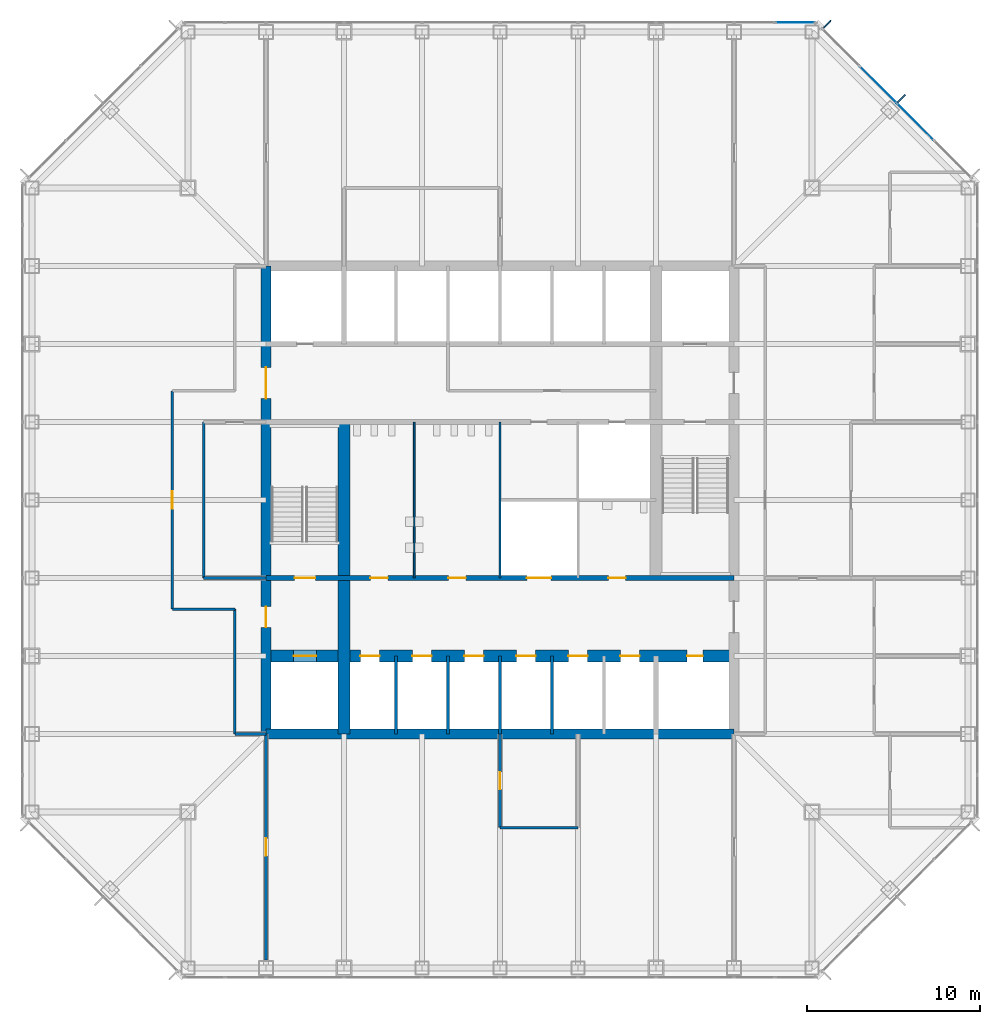
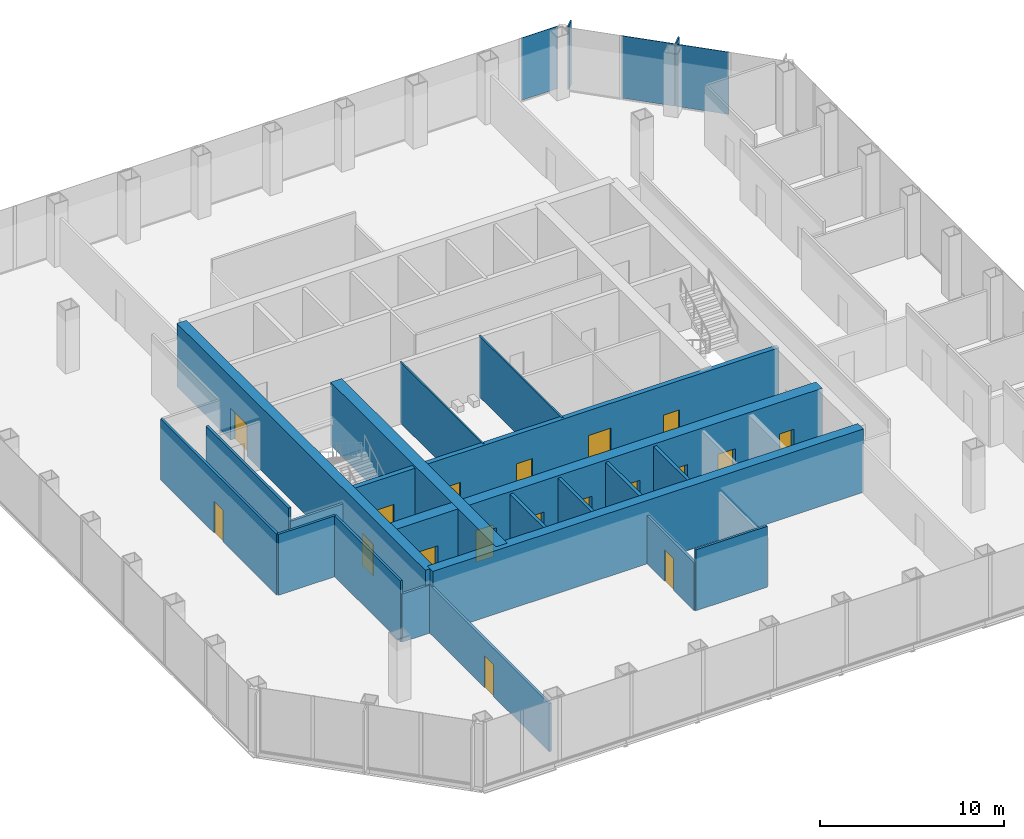
# One storey, part 8 of 12: 20 walls, 18 doors, 5 plates, 18 openings, 2 elements without a shape of their own.
"""IFC4 building model written with IfcOpenShell, lengths in metres."""

from ifc_helpers import new_model, si_unit, direction, frame, frame_2d, origin, origin_2d, place, context, subcontext, project, spatial, rectangle, extrude, material, layer, layer_set, type_object, element, fill, aggregate, save


model = new_model("IFC4")

# Units and contexts
model_context = context("Model", 3, precision=1e-05, world=origin(), true_north=direction((0.0, 1.0)))
body_context = subcontext(model_context, "Body", "Model", "MODEL_VIEW")
ifc_project = project(units=[si_unit("LENGTHUNIT", "METRE"), si_unit("AREAUNIT", "SQUARE_METRE"), si_unit("VOLUMEUNIT", "CUBIC_METRE"), si_unit("PLANEANGLEUNIT", "RADIAN"), si_unit("MASSUNIT", "GRAM", prefix="KILO")], contexts=[model_context])

# Site, building, storey
site_placement = place(None, origin())
site = spatial("IfcSite", under=ifc_project, at=site_placement, CompositionType="ELEMENT")
building_placement = place(site_placement, origin())
building = spatial("IfcBuilding", under=site, at=building_placement, Name="Corais Broadcast Tower", CompositionType="ELEMENT")
storey_placement = place(building_placement, frame((0.0, 0.0, 75.199951171875)))
storey = spatial("IfcBuildingStorey", under=building, at=storey_placement, Name="L16", CompositionType="ELEMENT", Elevation=75.199951171875)

# Curtain wall, plate
ifc_material_1 = material(Name="Aluminium and glass", Category="aluminium")
curtain_wall_type = type_object("IfcCurtainWallType", Name="Unitised fritted curtain wall CW1", PredefinedType="NOTDEFINED", material=ifc_material_1)
curtain_wall_1_placement = place(storey_placement, origin())
curtain_wall_1 = element("IfcCurtainWall", 1, at=curtain_wall_1_placement, inside=storey, type_object=curtain_wall_type, Name="CW1 curtain wall L16 5", PredefinedType="NOTDEFINED")
ifc_material_2 = material(Name="Ceramic-fritted laminated glass", Category="glass")
ifc_layer_1 = layer(ifc_material_2, 0.030029296875)
ifc_layer_set_1 = layer_set([ifc_layer_1], Name="Ceramic-fritted laminated glass")
plate_type_1 = type_object("IfcPlateType", Name="Fritted glass panel CW1", PredefinedType="CURTAIN_PANEL", material=ifc_layer_set_1)
plate_1_placement = place(storey_placement, frame((50.9658203125, 48.81201171875, 0.06494140625), z_axis=(0.0, 0.0, 1.0), x_axis=(0.707106781187, -0.707106781187, 0.0)))
plate_1 = element("IfcPlate", 2, at=plate_1_placement, type_object=plate_type_1, Name="CW1 panel 3", PredefinedType="CURTAIN_PANEL", context=body_context, shape_type="SweptSolid", body=[
    extrude(rectangle(XDim=2.98095703125, YDim=0.030029296875, at=origin_2d()), origin(), (0.0, 0.0, 1.0), 4.135009765625),
])

curtain_wall_2_placement = place(storey_placement, origin())
curtain_wall_2 = element("IfcCurtainWall", 3, at=curtain_wall_2_placement, inside=storey, type_object=curtain_wall_type, Name="CW1 curtain wall L16 4", PredefinedType="NOTDEFINED")
ifc_material_3 = material(Name="Clear laminated glass", Category="glass")
ifc_layer_2 = layer(ifc_material_3, 0.033935546875)
ifc_layer_set_2 = layer_set([ifc_layer_2], Name="Clear laminated glass")
plate_type_2 = type_object("IfcPlateType", Name="Operable glass panel CW1", PredefinedType="CURTAIN_PANEL", material=ifc_layer_set_2)
plate_2_placement = place(storey_placement, frame((44.029541015625, 54.550048828125, 0.06494140625), z_axis=(0.0, 0.0, 1.0), x_axis=(1.0, 0.0, 0.0)))
plate_2 = element("IfcPlate", 4, at=plate_2_placement, type_object=plate_type_2, Name="CW1 operable panel 10", PredefinedType="CURTAIN_PANEL", context=body_context, shape_type="SweptSolid", body=[
    extrude(rectangle(XDim=2.266357421875, YDim=0.033935546875, at=origin_2d()), origin(), (0.0, 0.0, 1.0), 4.135009765625),
])
aggregate(curtain_wall_2, [plate_2])

# Plate
plate_3_placement = place(storey_placement, frame((48.81201171875, 50.9658203125, 0.06494140625), z_axis=(0.0, 0.0, 1.0), x_axis=(0.707106781187, -0.707106781187, 0.0)))
plate_3 = element("IfcPlate", 5, at=plate_3_placement, type_object=plate_type_2, Name="CW1 operable panel 2", PredefinedType="CURTAIN_PANEL", context=body_context, shape_type="SweptSolid", body=[
    extrude(rectangle(XDim=2.98095703125, YDim=0.033935546875, at=origin_2d()), origin(), (0.0, 0.0, 1.0), 4.135009765625),
])

aggregate(curtain_wall_1, [plate_3, plate_1])

# Plates
ifc_material_4 = material(Name="Granite stone cladding", Category="masonry")
ifc_layer_3 = layer(ifc_material_4, 0.080078125)
ifc_layer_set_3 = layer_set([ifc_layer_3], Name="Granite stone cladding")
plate_type_3 = type_object("IfcPlateType", Name="Stone screen fin 80x600", PredefinedType="USERDEFINED", material=ifc_layer_set_3)
for number, where, z_axis, x_axis, name in (
    (6, (45.885009765625, 54.4541015625, 0.0), (0.0, 0.0, 1.0), (0.707106781187, -0.707106781187, 0.0), "SF1 stone screen fin L16"),
    (7, (50.169677734375, 50.169677734375, 0.0), (0.0, 0.0, 1.0), (0.707106781187, -0.707106781187, 0.0), "SF1 stone screen fin L16"),
):
    element("IfcPlate", number, at=place(storey_placement, frame(where, z_axis=z_axis, x_axis=x_axis)), inside=storey, type_object=plate_type_3, Name=name, ObjectType="STONE SCREEN FIN", PredefinedType="USERDEFINED", context=body_context, shape_type="SweptSolid", body=[
        extrude(rectangle(XDim=0.080078125, YDim=0.60009765625, at=origin_2d()), origin(), (0.0, 0.0, 1.0), 4.199951171875),
    ])

# Wall, openings, doors
ifc_material_5 = material(Name="Concrete blockwork class A, grouted, two-hour", Category="masonry")
ifc_layer_4 = layer(ifc_material_5, 0.300048828125)
ifc_layer_set_4 = layer_set([ifc_layer_4], Name="Concrete blockwork class A, grouted, two-hour")
wall_type_1 = type_object("IfcWallType", Name="Core lobby wall 300", PredefinedType="SOLIDWALL", material=ifc_layer_set_4)
wall_1_placement = place(storey_placement, frame((13.5, 22.5, 0.0), z_axis=(0.0, 0.0, 1.0), x_axis=(1.0, 0.0, 0.0)))
wall_1 = element("IfcWall", 8, at=wall_1_placement, inside=storey, type_object=wall_type_1, Name="CL1 core lobby wall Y225 L16", PredefinedType="SOLIDWALL", context=body_context, shape_type="SweptSolid", body=[
    extrude(rectangle(XDim=27.0, YDim=0.300048828125, at=frame_2d((13.5, 0.0))), origin(), (0.0, 0.0, 1.0), 4.0400390625),
])
opening_1_placement = place(wall_1_placement, frame((1.64990234375, 0.0, 0.0)))
opening_1 = element("IfcOpeningElement", 9, at=opening_1_placement, cuts=wall_1, Name="Opening FD1", PredefinedType="OPENING", context=body_context, shape_type="SweptSolid", body=[
    extrude(rectangle(XDim=1.199951171875, YDim=2.10009765625, at=frame_2d((0.60009765625, 1.050048828125))), frame((0.0, 0.159912109375, 0.0), z_axis=(0.0, -1.0, 0.0), x_axis=(1.0, 0.0, 0.0)), (0.0, 0.0, 1.0), 0.320068359375),
])
opening_2_placement = place(wall_1_placement, frame((6.02490234375, 0.0, 0.0)))
opening_2 = element("IfcOpeningElement", 10, at=opening_2_placement, cuts=wall_1, Name="Opening WD1", PredefinedType="OPENING", context=body_context, shape_type="SweptSolid", body=[
    extrude(rectangle(XDim=1.0, YDim=2.10009765625, at=frame_2d((0.5, 1.050048828125))), frame((0.0, 0.159912109375, 0.0), z_axis=(0.0, -1.0, 0.0), x_axis=(1.0, 0.0, 0.0)), (0.0, 0.0, 1.0), 0.320068359375),
])
opening_3_placement = place(wall_1_placement, frame((10.52490234375, 0.0, 0.0)))
opening_3 = element("IfcOpeningElement", 11, at=opening_3_placement, cuts=wall_1, Name="Opening WD1", PredefinedType="OPENING", context=body_context, shape_type="SweptSolid", body=[
    extrude(rectangle(XDim=1.0, YDim=2.10009765625, at=frame_2d((0.5, 1.050048828125))), frame((0.0, 0.159912109375, 0.0), z_axis=(0.0, -1.0, 0.0), x_axis=(1.0, 0.0, 0.0)), (0.0, 0.0, 1.0), 0.320068359375),
])
opening_4_placement = place(wall_1_placement, frame((19.75, 0.0, 0.0)))
opening_4 = element("IfcOpeningElement", 12, at=opening_4_placement, cuts=wall_1, Name="Opening WD1", PredefinedType="OPENING", context=body_context, shape_type="SweptSolid", body=[
    extrude(rectangle(XDim=1.0, YDim=2.10009765625, at=frame_2d((0.5, 1.050048828125))), frame((0.0, 0.159912109375, 0.0), z_axis=(0.0, -1.0, 0.0), x_axis=(1.0, 0.0, 0.0)), (0.0, 0.0, 1.0), 0.320068359375),
])
opening_5_placement = place(wall_1_placement, frame((15.050048828125, 0.0, 0.0)))
opening_5 = element("IfcOpeningElement", 13, at=opening_5_placement, cuts=wall_1, Name="Opening LD3", PredefinedType="OPENING", context=body_context, shape_type="SweptSolid", body=[
    extrude(rectangle(XDim=1.39990234375, YDim=2.39990234375, at=frame_2d((0.699951171875, 1.199951171875))), frame((0.0, 0.159912109375, 0.0), z_axis=(0.0, -1.0, 0.0), x_axis=(1.0, 0.0, 0.0)), (0.0, 0.0, 1.0), 0.320068359375),
])
ifc_material_6 = material(Name="Steel fire door", Category="steel")
door_type_1 = type_object("IfcDoorType", Name="Fire door 1200x2100", OperationType="SINGLE_SWING_LEFT", PredefinedType="DOOR", material=ifc_material_6)
door_1_placement = place(opening_1_placement, origin())
door_1 = element("IfcDoor", 14, at=door_1_placement, inside=storey, type_object=door_type_1, Name="FD1 stair A door L16", OperationType="SINGLE_SWING_LEFT", OverallHeight=2.10009765625, OverallWidth=1.199951171875, PredefinedType="DOOR", context=body_context, shape_type="SweptSolid", body=[
    extrude(rectangle(XDim=1.199951171875, YDim=2.10009765625, at=frame_2d((0.60009765625, 1.050048828125))), frame((0.0, 0.02490234375, 0.0), z_axis=(0.0, -1.0, 0.0), x_axis=(1.0, 0.0, 0.0)), (0.0, 0.0, 1.0), 0.050048828125),
])
fill(opening_1, door_1)
ifc_material_7 = material(Name="Stainless steel lift door", Category="steel")
door_type_2 = type_object("IfcDoorType", Name="Service lift landing door 1400x2400", OperationType="SLIDING_TO_LEFT", PredefinedType="DOOR", material=ifc_material_7)
door_2_placement = place(opening_5_placement, origin())
door_2 = element("IfcDoor", 15, at=door_2_placement, inside=storey, type_object=door_type_2, Name="LD3 SL1 landing door L16", OperationType="SLIDING_TO_LEFT", OverallHeight=2.39990234375, OverallWidth=1.39990234375, PredefinedType="DOOR", context=body_context, shape_type="SweptSolid", body=[
    extrude(rectangle(XDim=1.39990234375, YDim=2.39990234375, at=frame_2d((0.699951171875, 1.199951171875))), frame((0.0, 0.02490234375, 0.0), z_axis=(0.0, -1.0, 0.0), x_axis=(1.0, 0.0, 0.0)), (0.0, 0.0, 1.0), 0.050048828125),
])
fill(opening_5, door_2)
ifc_material_8 = material(Name="Timber door", Category="wood")
door_type_3 = type_object("IfcDoorType", Name="Toilet door 1000x2100", OperationType="SINGLE_SWING_LEFT", PredefinedType="DOOR", material=ifc_material_8)
door_3_placement = place(opening_2_placement, origin())
door_3 = element("IfcDoor", 16, at=door_3_placement, inside=storey, type_object=door_type_3, Name="WD1 WC male door L16", OperationType="SINGLE_SWING_LEFT", OverallHeight=2.10009765625, OverallWidth=1.0, PredefinedType="DOOR", context=body_context, shape_type="SweptSolid", body=[
    extrude(rectangle(XDim=1.0, YDim=2.10009765625, at=frame_2d((0.5, 1.050048828125))), frame((0.0, 0.02490234375, 0.0), z_axis=(0.0, -1.0, 0.0), x_axis=(1.0, 0.0, 0.0)), (0.0, 0.0, 1.0), 0.050048828125),
])
fill(opening_2, door_3)
door_4_placement = place(opening_3_placement, origin())
door_4 = element("IfcDoor", 17, at=door_4_placement, inside=storey, type_object=door_type_3, Name="WD1 WC female door L16", OperationType="SINGLE_SWING_LEFT", OverallHeight=2.10009765625, OverallWidth=1.0, PredefinedType="DOOR", context=body_context, shape_type="SweptSolid", body=[
    extrude(rectangle(XDim=1.0, YDim=2.10009765625, at=frame_2d((0.5, 1.050048828125))), frame((0.0, 0.02490234375, 0.0), z_axis=(0.0, -1.0, 0.0), x_axis=(1.0, 0.0, 0.0)), (0.0, 0.0, 1.0), 0.050048828125),
])
fill(opening_3, door_4)
door_5_placement = place(opening_4_placement, origin())
door_5 = element("IfcDoor", 18, at=door_5_placement, inside=storey, type_object=door_type_3, Name="WD1 accessible WC door L16", OperationType="SINGLE_SWING_RIGHT", OverallHeight=2.10009765625, OverallWidth=1.0, PredefinedType="DOOR", context=body_context, shape_type="SweptSolid", body=[
    extrude(rectangle(XDim=1.0, YDim=2.10009765625, at=frame_2d((0.5, 1.050048828125))), frame((0.0, 0.02490234375, 0.0), z_axis=(0.0, -1.0, 0.0), x_axis=(1.0, 0.0, 0.0)), (0.0, 0.0, 1.0), 0.050048828125),
])
fill(opening_4, door_5)

# Wall
ifc_material_9 = material(Name="Concrete C50/60", Category="concrete")
ifc_layer_5 = layer(ifc_material_9, 0.699951171875)
ifc_layer_set_5 = layer_set([ifc_layer_5], Name="Concrete C50/60")
wall_type_2 = type_object("IfcWallType", Name="Core spine wall 700", PredefinedType="SHEAR", material=ifc_layer_set_5)
wall_2_placement = place(storey_placement, frame((18.0, 13.5, 0.0), z_axis=(0.0, 0.0, 1.0), x_axis=(0.0, 1.0, 0.0)))
element("IfcWall", 19, at=wall_2_placement, inside=storey, type_object=wall_type_2, Name="CR700 core wall X18A L16", PredefinedType="SHEAR", context=body_context, shape_type="SweptSolid", body=[
    extrude(rectangle(XDim=18.0, YDim=0.699951171875, at=frame_2d((9.0, 0.0))), origin(), (0.0, 0.0, 1.0), 4.199951171875),
])

# Wall, openings, doors
wall_3_placement = place(storey_placement, frame((13.5, 18.0, 0.0), z_axis=(0.0, 0.0, 1.0), x_axis=(1.0, 0.0, 0.0)))
wall_3 = element("IfcWall", 20, at=wall_3_placement, inside=storey, type_object=wall_type_2, Name="CR700 core wall Y18 L16", PredefinedType="SHEAR", context=body_context, shape_type="SweptSolid", body=[
    extrude(rectangle(XDim=27.0, YDim=0.699951171875, at=frame_2d((13.5, 0.0))), origin(), (0.0, 0.0, 1.0), 4.199951171875),
])
opening_6_placement = place(wall_3_placement, frame((24.300048828125, 0.0, 0.0)))
opening_6 = element("IfcOpeningElement", 21, at=opening_6_placement, cuts=wall_3, Name="Opening RD1", PredefinedType="OPENING", context=body_context, shape_type="SweptSolid", body=[
    extrude(rectangle(XDim=0.89990234375, YDim=2.10009765625, at=frame_2d((0.449951171875, 1.050048828125))), frame((0.0, 0.35986328125, 0.0), z_axis=(0.0, -1.0, 0.0), x_axis=(1.0, 0.0, 0.0)), (0.0, 0.0, 1.0), 0.719970703125),
])
opening_7_placement = place(wall_3_placement, frame((5.449951171875, 0.0, 0.0)))
opening_7 = element("IfcOpeningElement", 22, at=opening_7_placement, cuts=wall_3, Name="Opening LD1", PredefinedType="OPENING", context=body_context, shape_type="SweptSolid", body=[
    extrude(rectangle(XDim=1.10009765625, YDim=2.10009765625, at=frame_2d((0.550048828125, 1.050048828125))), frame((0.0, 0.35986328125, 0.0), z_axis=(0.0, -1.0, 0.0), x_axis=(1.0, 0.0, 0.0)), (0.0, 0.0, 1.0), 0.719970703125),
])
opening_8_placement = place(wall_3_placement, frame((8.449951171875, 0.0, 0.0)))
opening_8 = element("IfcOpeningElement", 23, at=opening_8_placement, cuts=wall_3, Name="Opening LD1", PredefinedType="OPENING", context=body_context, shape_type="SweptSolid", body=[
    extrude(rectangle(XDim=1.10009765625, YDim=2.10009765625, at=frame_2d((0.550048828125, 1.050048828125))), frame((0.0, 0.35986328125, 0.0), z_axis=(0.0, -1.0, 0.0), x_axis=(1.0, 0.0, 0.0)), (0.0, 0.0, 1.0), 0.719970703125),
])
opening_9_placement = place(wall_3_placement, frame((11.449951171875, 0.0, 0.0)))
opening_9 = element("IfcOpeningElement", 24, at=opening_9_placement, cuts=wall_3, Name="Opening LD1", PredefinedType="OPENING", context=body_context, shape_type="SweptSolid", body=[
    extrude(rectangle(XDim=1.10009765625, YDim=2.10009765625, at=frame_2d((0.550048828125, 1.050048828125))), frame((0.0, 0.35986328125, 0.0), z_axis=(0.0, -1.0, 0.0), x_axis=(1.0, 0.0, 0.0)), (0.0, 0.0, 1.0), 0.719970703125),
])
opening_10_placement = place(wall_3_placement, frame((14.449951171875, 0.0, 0.0)))
opening_10 = element("IfcOpeningElement", 25, at=opening_10_placement, cuts=wall_3, Name="Opening LD1", PredefinedType="OPENING", context=body_context, shape_type="SweptSolid", body=[
    extrude(rectangle(XDim=1.10009765625, YDim=2.10009765625, at=frame_2d((0.550048828125, 1.050048828125))), frame((0.0, 0.35986328125, 0.0), z_axis=(0.0, -1.0, 0.0), x_axis=(1.0, 0.0, 0.0)), (0.0, 0.0, 1.0), 0.719970703125),
])
opening_11_placement = place(wall_3_placement, frame((17.449951171875, 0.0, 0.0)))
opening_11 = element("IfcOpeningElement", 26, at=opening_11_placement, cuts=wall_3, Name="Opening LD1", PredefinedType="OPENING", context=body_context, shape_type="SweptSolid", body=[
    extrude(rectangle(XDim=1.10009765625, YDim=2.10009765625, at=frame_2d((0.550048828125, 1.050048828125))), frame((0.0, 0.35986328125, 0.0), z_axis=(0.0, -1.0, 0.0), x_axis=(1.0, 0.0, 0.0)), (0.0, 0.0, 1.0), 0.719970703125),
])
opening_12_placement = place(wall_3_placement, frame((20.449951171875, 0.0, 0.0)))
opening_12 = element("IfcOpeningElement", 27, at=opening_12_placement, cuts=wall_3, Name="Opening LD1", PredefinedType="OPENING", context=body_context, shape_type="SweptSolid", body=[
    extrude(rectangle(XDim=1.10009765625, YDim=2.10009765625, at=frame_2d((0.550048828125, 1.050048828125))), frame((0.0, 0.35986328125, 0.0), z_axis=(0.0, -1.0, 0.0), x_axis=(1.0, 0.0, 0.0)), (0.0, 0.0, 1.0), 0.719970703125),
])
opening_13_placement = place(wall_3_placement, frame((1.60009765625, 0.0, 0.0)))
opening_13 = element("IfcOpeningElement", 28, at=opening_13_placement, cuts=wall_3, Name="Opening LD2", PredefinedType="OPENING", context=body_context, shape_type="SweptSolid", body=[
    extrude(rectangle(XDim=1.300048828125, YDim=2.199951171875, at=frame_2d((0.64990234375, 1.10009765625))), frame((0.0, 0.35986328125, 0.0), z_axis=(0.0, -1.0, 0.0), x_axis=(1.0, 0.0, 0.0)), (0.0, 0.0, 1.0), 0.719970703125),
])
ifc_material_10 = material(Name="Stainless steel lift door", Category="steel")
door_type_4 = type_object("IfcDoorType", Name="Lift landing door 1100x2100", OperationType="SLIDING_TO_LEFT", PredefinedType="DOOR", material=ifc_material_10)
door_6_placement = place(opening_7_placement, origin())
door_6 = element("IfcDoor", 29, at=door_6_placement, inside=storey, type_object=door_type_4, Name="LD1 PL1 landing door L16", OperationType="SLIDING_TO_LEFT", OverallHeight=2.10009765625, OverallWidth=1.10009765625, PredefinedType="DOOR", context=body_context, shape_type="SweptSolid", body=[
    extrude(rectangle(XDim=1.10009765625, YDim=2.10009765625, at=frame_2d((0.550048828125, 1.050048828125))), frame((0.0, 0.02490234375, 0.0), z_axis=(0.0, -1.0, 0.0), x_axis=(1.0, 0.0, 0.0)), (0.0, 0.0, 1.0), 0.050048828125),
])
fill(opening_7, door_6)
door_7_placement = place(opening_8_placement, origin())
door_7 = element("IfcDoor", 30, at=door_7_placement, inside=storey, type_object=door_type_4, Name="LD1 PL2 landing door L16", OperationType="SLIDING_TO_LEFT", OverallHeight=2.10009765625, OverallWidth=1.10009765625, PredefinedType="DOOR", context=body_context, shape_type="SweptSolid", body=[
    extrude(rectangle(XDim=1.10009765625, YDim=2.10009765625, at=frame_2d((0.550048828125, 1.050048828125))), frame((0.0, 0.02490234375, 0.0), z_axis=(0.0, -1.0, 0.0), x_axis=(1.0, 0.0, 0.0)), (0.0, 0.0, 1.0), 0.050048828125),
])
fill(opening_8, door_7)
door_8_placement = place(opening_9_placement, origin())
door_8 = element("IfcDoor", 31, at=door_8_placement, inside=storey, type_object=door_type_4, Name="LD1 PL3 landing door L16", OperationType="SLIDING_TO_LEFT", OverallHeight=2.10009765625, OverallWidth=1.10009765625, PredefinedType="DOOR", context=body_context, shape_type="SweptSolid", body=[
    extrude(rectangle(XDim=1.10009765625, YDim=2.10009765625, at=frame_2d((0.550048828125, 1.050048828125))), frame((0.0, 0.02490234375, 0.0), z_axis=(0.0, -1.0, 0.0), x_axis=(1.0, 0.0, 0.0)), (0.0, 0.0, 1.0), 0.050048828125),
])
fill(opening_9, door_8)
door_9_placement = place(opening_10_placement, origin())
door_9 = element("IfcDoor", 32, at=door_9_placement, inside=storey, type_object=door_type_4, Name="LD1 PL4 landing door L16", OperationType="SLIDING_TO_LEFT", OverallHeight=2.10009765625, OverallWidth=1.10009765625, PredefinedType="DOOR", context=body_context, shape_type="SweptSolid", body=[
    extrude(rectangle(XDim=1.10009765625, YDim=2.10009765625, at=frame_2d((0.550048828125, 1.050048828125))), frame((0.0, 0.02490234375, 0.0), z_axis=(0.0, -1.0, 0.0), x_axis=(1.0, 0.0, 0.0)), (0.0, 0.0, 1.0), 0.050048828125),
])
fill(opening_10, door_9)
door_10_placement = place(opening_11_placement, origin())
door_10 = element("IfcDoor", 33, at=door_10_placement, inside=storey, type_object=door_type_4, Name="LD1 PL5 landing door L16", OperationType="SLIDING_TO_LEFT", OverallHeight=2.10009765625, OverallWidth=1.10009765625, PredefinedType="DOOR", context=body_context, shape_type="SweptSolid", body=[
    extrude(rectangle(XDim=1.10009765625, YDim=2.10009765625, at=frame_2d((0.550048828125, 1.050048828125))), frame((0.0, 0.02490234375, 0.0), z_axis=(0.0, -1.0, 0.0), x_axis=(1.0, 0.0, 0.0)), (0.0, 0.0, 1.0), 0.050048828125),
])
fill(opening_11, door_10)
door_11_placement = place(opening_12_placement, origin())
door_11 = element("IfcDoor", 34, at=door_11_placement, inside=storey, type_object=door_type_4, Name="LD1 PL6 landing door L16", OperationType="SLIDING_TO_LEFT", OverallHeight=2.10009765625, OverallWidth=1.10009765625, PredefinedType="DOOR", context=body_context, shape_type="SweptSolid", body=[
    extrude(rectangle(XDim=1.10009765625, YDim=2.10009765625, at=frame_2d((0.550048828125, 1.050048828125))), frame((0.0, 0.02490234375, 0.0), z_axis=(0.0, -1.0, 0.0), x_axis=(1.0, 0.0, 0.0)), (0.0, 0.0, 1.0), 0.050048828125),
])
fill(opening_12, door_11)
ifc_material_11 = material(Name="Stainless steel lift door", Category="steel")
door_type_5 = type_object("IfcDoorType", Name="Lift landing door 1300x2200", OperationType="SLIDING_TO_LEFT", PredefinedType="DOOR", material=ifc_material_11)
door_12_placement = place(opening_13_placement, origin())
door_12 = element("IfcDoor", 35, at=door_12_placement, inside=storey, type_object=door_type_5, Name="LD2 FL1 landing door L16", OperationType="SLIDING_TO_LEFT", OverallHeight=2.199951171875, OverallWidth=1.300048828125, PredefinedType="DOOR", context=body_context, shape_type="SweptSolid", body=[
    extrude(rectangle(XDim=1.300048828125, YDim=2.199951171875, at=frame_2d((0.64990234375, 1.10009765625))), frame((0.0, 0.02490234375, 0.0), z_axis=(0.0, -1.0, 0.0), x_axis=(1.0, 0.0, 0.0)), (0.0, 0.0, 1.0), 0.050048828125),
])
fill(opening_13, door_12)
ifc_material_12 = material(Name="Steel fire door", Category="steel")
door_type_6 = type_object("IfcDoorType", Name="Riser door 900x2100", OperationType="SINGLE_SWING_LEFT", PredefinedType="DOOR", material=ifc_material_12)
door_13_placement = place(opening_6_placement, origin())
door_13 = element("IfcDoor", 36, at=door_13_placement, inside=storey, type_object=door_type_6, Name="RD1 riser door L16", OperationType="SINGLE_SWING_RIGHT", OverallHeight=2.10009765625, OverallWidth=0.89990234375, PredefinedType="DOOR", context=body_context, shape_type="SweptSolid", body=[
    extrude(rectangle(XDim=0.89990234375, YDim=2.10009765625, at=frame_2d((0.449951171875, 1.050048828125))), frame((0.0, 0.02490234375, 0.0), z_axis=(0.0, -1.0, 0.0), x_axis=(1.0, 0.0, 0.0)), (0.0, 0.0, 1.0), 0.050048828125),
])
fill(opening_6, door_13)

# Wall
ifc_material_13 = material(Name="Concrete C50/60", Category="concrete")
ifc_layer_6 = layer(ifc_material_13, 0.60009765625)
ifc_layer_set_6 = layer_set([ifc_layer_6], Name="Concrete C50/60")
wall_type_3 = type_object("IfcWallType", Name="Core wall 600", PredefinedType="SHEAR", material=ifc_layer_set_6)
wall_4_placement = place(storey_placement, frame((13.5, 13.5, 0.0), z_axis=(0.0, 0.0, 1.0), x_axis=(1.0, 0.0, 0.0)))
element("IfcWall", 37, at=wall_4_placement, inside=storey, type_object=wall_type_3, Name="CR600 core wall S L16", PredefinedType="SHEAR", context=body_context, shape_type="SweptSolid", body=[
    extrude(rectangle(XDim=27.0, YDim=0.60009765625, at=frame_2d((13.5, 0.0))), origin(), (0.0, 0.0, 1.0), 4.199951171875),
])

# Wall, openings, doors
wall_5_placement = place(storey_placement, frame((13.5, 40.5, 0.0), z_axis=(0.0, 0.0, 1.0), x_axis=(0.0, -1.0, 0.0)))
wall_5 = element("IfcWall", 38, at=wall_5_placement, inside=storey, type_object=wall_type_3, Name="CR600 core wall W L16", PredefinedType="SHEAR", context=body_context, shape_type="SweptSolid", body=[
    extrude(rectangle(XDim=27.0, YDim=0.60009765625, at=frame_2d((13.5, 0.0))), origin(), (0.0, 0.0, 1.0), 4.199951171875),
])
opening_14_placement = place(wall_5_placement, frame((19.64990234375, 0.0, 0.0)))
opening_14 = element("IfcOpeningElement", 39, at=opening_14_placement, cuts=wall_5, Name="Opening FD1", PredefinedType="OPENING", context=body_context, shape_type="SweptSolid", body=[
    extrude(rectangle(XDim=1.199951171875, YDim=2.10009765625, at=frame_2d((0.60009765625, 1.050048828125))), frame((0.0, 0.31005859375, 0.0), z_axis=(0.0, -1.0, 0.0), x_axis=(1.0, 0.0, 0.0)), (0.0, 0.0, 1.0), 0.6201171875),
])
opening_15_placement = place(wall_5_placement, frame((5.85009765625, 0.0, 0.0)))
opening_15 = element("IfcOpeningElement", 40, at=opening_15_placement, cuts=wall_5, Name="Opening FD2", PredefinedType="OPENING", context=body_context, shape_type="SweptSolid", body=[
    extrude(rectangle(XDim=1.800048828125, YDim=2.10009765625, at=frame_2d((0.89990234375, 1.050048828125))), frame((0.0, 0.31005859375, 0.0), z_axis=(0.0, -1.0, 0.0), x_axis=(1.0, 0.0, 0.0)), (0.0, 0.0, 1.0), 0.6201171875),
])
door_14_placement = place(opening_14_placement, origin())
door_14 = element("IfcDoor", 41, at=door_14_placement, inside=storey, type_object=door_type_1, Name="FD1 fire lobby A door L16", OperationType="SINGLE_SWING_RIGHT", OverallHeight=2.10009765625, OverallWidth=1.199951171875, PredefinedType="DOOR", context=body_context, shape_type="SweptSolid", body=[
    extrude(rectangle(XDim=1.199951171875, YDim=2.10009765625, at=frame_2d((0.60009765625, 1.050048828125))), frame((0.0, 0.02490234375, 0.0), z_axis=(0.0, -1.0, 0.0), x_axis=(1.0, 0.0, 0.0)), (0.0, 0.0, 1.0), 0.050048828125),
])
fill(opening_14, door_14)
ifc_material_14 = material(Name="Steel fire door", Category="steel")
door_type_7 = type_object("IfcDoorType", Name="Fire door pair 1800x2100", OperationType="DOUBLE_DOOR_SINGLE_SWING", PredefinedType="DOOR", material=ifc_material_14)
door_15_placement = place(opening_15_placement, origin())
door_15 = element("IfcDoor", 42, at=door_15_placement, inside=storey, type_object=door_type_7, Name="FD2 lift lobby door L16", OperationType="SINGLE_SWING_LEFT", OverallHeight=2.10009765625, OverallWidth=1.800048828125, PredefinedType="DOOR", context=body_context, shape_type="SweptSolid", body=[
    extrude(rectangle(XDim=1.800048828125, YDim=2.10009765625, at=frame_2d((0.89990234375, 1.050048828125))), frame((0.0, 0.02490234375, 0.0), z_axis=(0.0, -1.0, 0.0), x_axis=(1.0, 0.0, 0.0)), (0.0, 0.0, 1.0), 0.050048828125),
])
fill(opening_15, door_15)

# Wall, opening, door
ifc_material_15 = material(Name="Gypsum board on steel studs", Category="steel")
ifc_layer_7 = layer(ifc_material_15, 0.14990234375)
ifc_layer_set_7 = layer_set([ifc_layer_7], Name="Gypsum board on steel studs")
wall_type_4 = type_object("IfcWallType", Name="Partition 150", PredefinedType="PARTITIONING", material=ifc_layer_set_7)
wall_6_placement = place(storey_placement, frame((8.10009765625, 33.300048828125, 0.0), z_axis=(0.0, 0.0, 1.0), x_axis=(0.0, -1.0, 0.0)))
wall_6 = element("IfcWall", 43, at=wall_6_placement, inside=storey, type_object=wall_type_4, Name="IW3 corridor wall L16", PredefinedType="PARTITIONING", context=body_context, shape_type="SweptSolid", body=[
    extrude(rectangle(XDim=12.60009765625, YDim=0.14990234375, at=frame_2d((6.300048828125, 0.0))), origin(), (0.0, 0.0, 1.0), 4.0400390625),
])
opening_16_placement = place(wall_6_placement, frame((5.800048828125, 0.0, 0.0)))
opening_16 = element("IfcOpeningElement", 44, at=opening_16_placement, cuts=wall_6, Name="Opening D1", PredefinedType="OPENING", context=body_context, shape_type="SweptSolid", body=[
    extrude(rectangle(XDim=1.0, YDim=2.10009765625, at=frame_2d((0.5, 1.050048828125))), frame((0.0, 0.0849609375, 0.0), z_axis=(0.0, -1.0, 0.0), x_axis=(1.0, 0.0, 0.0)), (0.0, 0.0, 1.0), 0.169921875),
])
ifc_material_16 = material(Name="Timber door", Category="wood")
door_type_8 = type_object("IfcDoorType", Name="Single door 1000x2100", OperationType="SINGLE_SWING_LEFT", PredefinedType="DOOR", material=ifc_material_16)
door_16_placement = place(opening_16_placement, origin())
door_16 = element("IfcDoor", 45, at=door_16_placement, inside=storey, type_object=door_type_8, Name="D1 workplace door L16", OperationType="SINGLE_SWING_LEFT", OverallHeight=2.10009765625, OverallWidth=1.0, PredefinedType="DOOR", context=body_context, shape_type="SweptSolid", body=[
    extrude(rectangle(XDim=1.0, YDim=2.10009765625, at=frame_2d((0.5, 1.050048828125))), frame((0.0, 0.02490234375, 0.0), z_axis=(0.0, -1.0, 0.0), x_axis=(1.0, 0.0, 0.0)), (0.0, 0.0, 1.0), 0.050048828125),
])
fill(opening_16, door_16)

# Walls
wall_7_placement = place(storey_placement, frame((11.699951171875, 20.699951171875, 0.0), z_axis=(0.0, 0.0, 1.0), x_axis=(0.0, -1.0, 0.0)))
element("IfcWall", 46, at=wall_7_placement, inside=storey, type_object=wall_type_4, Name="IW3 corridor wall L16", PredefinedType="PARTITIONING", context=body_context, shape_type="SweptSolid", body=[
    extrude(rectangle(XDim=7.199951171875, YDim=0.14990234375, at=frame_2d((3.60009765625, 0.0))), origin(), (0.0, 0.0, 1.0), 4.0400390625),
])
wall_8_placement = place(storey_placement, frame((8.10009765625, 20.699951171875, 0.0), z_axis=(0.0, 0.0, 1.0), x_axis=(1.0, 0.0, 0.0)))
element("IfcWall", 47, at=wall_8_placement, inside=storey, type_object=wall_type_4, Name="IW3 corridor wall L16", PredefinedType="PARTITIONING", context=body_context, shape_type="SweptSolid", body=[
    extrude(rectangle(XDim=3.599853515625, YDim=0.14990234375, at=frame_2d((1.7998046875, 0.0))), origin(), (0.0, 0.0, 1.0), 4.0400390625),
])
wall_9_placement = place(storey_placement, frame((11.699951171875, 13.5, 0.0), z_axis=(0.0, 0.0, 1.0), x_axis=(1.0, 0.0, 0.0)))
element("IfcWall", 48, at=wall_9_placement, inside=storey, type_object=wall_type_4, Name="IW3 corridor wall L16", PredefinedType="PARTITIONING", context=body_context, shape_type="SweptSolid", body=[
    extrude(rectangle(XDim=1.81005859375, YDim=0.14990234375, at=frame_2d((0.905029296875, 0.0))), origin(), (0.0, 0.0, 1.0), 3.18896484375),
])
wall_10_placement = place(storey_placement, frame((9.89990234375, 22.5, 0.0), z_axis=(0.0, 0.0, 1.0), x_axis=(1.0, 0.0, 0.0)))
element("IfcWall", 49, at=wall_10_placement, inside=storey, type_object=wall_type_4, Name="IW3 partition L16", PredefinedType="PARTITIONING", context=body_context, shape_type="SweptSolid", body=[
    extrude(rectangle(XDim=3.60009765625, YDim=0.14990234375, at=frame_2d((1.800048828125, 0.0))), origin(), (0.0, 0.0, 1.0), 3.18896484375),
])
wall_11_placement = place(storey_placement, frame((9.89990234375, 31.5, 0.0), z_axis=(0.0, 0.0, 1.0), x_axis=(0.0, -1.0, 0.0)))
element("IfcWall", 50, at=wall_11_placement, inside=storey, type_object=wall_type_4, Name="IW3 partition L16", PredefinedType="PARTITIONING", context=body_context, shape_type="SweptSolid", body=[
    extrude(rectangle(XDim=9.0, YDim=0.14990234375, at=frame_2d((4.5, 0.0))), origin(), (0.0, 0.0, 1.0), 4.0400390625),
])
wall_12_placement = place(storey_placement, frame((27.0, 8.10009765625, 0.0), z_axis=(0.0, 0.0, 1.0), x_axis=(1.0, 0.0, 0.0)))
element("IfcWall", 51, at=wall_12_placement, inside=storey, type_object=wall_type_4, Name="IW3 partition L16", PredefinedType="PARTITIONING", context=body_context, shape_type="SweptSolid", body=[
    extrude(rectangle(XDim=4.5, YDim=0.14990234375, at=frame_2d((2.25, 0.0))), origin(), (0.0, 0.0, 1.0), 4.0400390625),
])

# Wall, opening, door
wall_13_placement = place(storey_placement, frame((27.0, 13.5, 0.0), z_axis=(0.0, 0.0, 1.0), x_axis=(0.0, -1.0, 0.0)))
wall_13 = element("IfcWall", 52, at=wall_13_placement, inside=storey, type_object=wall_type_4, Name="IW3 partition L16", PredefinedType="PARTITIONING", context=body_context, shape_type="SweptSolid", body=[
    extrude(rectangle(XDim=5.39990234375, YDim=0.14990234375, at=frame_2d((2.699951171875, 0.0))), origin(), (0.0, 0.0, 1.0), 3.18896484375),
])
opening_17_placement = place(wall_13_placement, frame((2.199951171875, 0.0, 0.0)))
opening_17 = element("IfcOpeningElement", 53, at=opening_17_placement, cuts=wall_13, Name="Opening D1", PredefinedType="OPENING", context=body_context, shape_type="SweptSolid", body=[
    extrude(rectangle(XDim=1.0, YDim=2.10009765625, at=frame_2d((0.5, 1.050048828125))), frame((0.0, 0.0849609375, 0.0), z_axis=(0.0, -1.0, 0.0), x_axis=(1.0, 0.0, 0.0)), (0.0, 0.0, 1.0), 0.169921875),
])
door_17_placement = place(opening_17_placement, origin())
door_17 = element("IfcDoor", 54, at=door_17_placement, inside=storey, type_object=door_type_8, Name="D1 Meeting room door", OperationType="SINGLE_SWING_LEFT", OverallHeight=2.10009765625, OverallWidth=1.0, PredefinedType="DOOR", context=body_context, shape_type="SweptSolid", body=[
    extrude(rectangle(XDim=1.0, YDim=2.10009765625, at=frame_2d((0.5, 1.050048828125))), frame((0.0, 0.02490234375, 0.0), z_axis=(0.0, -1.0, 0.0), x_axis=(1.0, 0.0, 0.0)), (0.0, 0.0, 1.0), 0.050048828125),
])
fill(opening_17, door_17)

wall_14_placement = place(storey_placement, frame((13.5, 0.445068359375, 0.0), z_axis=(0.0, 0.0, 1.0), x_axis=(0.0, 1.0, 0.0)))
wall_14 = element("IfcWall", 55, at=wall_14_placement, inside=storey, type_object=wall_type_4, Name="IW3 partition L16", PredefinedType="PARTITIONING", context=body_context, shape_type="SweptSolid", body=[
    extrude(rectangle(XDim=13.054931640625, YDim=0.14990234375, at=frame_2d((6.52734375, 0.0))), origin(), (0.0, 0.0, 1.0), 3.18896484375),
])
opening_18_placement = place(wall_14_placement, frame((6.027587890625, 0.0, 0.0)))
opening_18 = element("IfcOpeningElement", 56, at=opening_18_placement, cuts=wall_14, Name="Opening D1", PredefinedType="OPENING", context=body_context, shape_type="SweptSolid", body=[
    extrude(rectangle(XDim=1.0, YDim=2.10009765625, at=frame_2d((0.5, 1.050048828125))), frame((0.0, 0.0849609375, 0.0), z_axis=(0.0, -1.0, 0.0), x_axis=(1.0, 0.0, 0.0)), (0.0, 0.0, 1.0), 0.169921875),
])
door_18_placement = place(opening_18_placement, origin())
door_18 = element("IfcDoor", 57, at=door_18_placement, inside=storey, type_object=door_type_8, Name="D1 team room door L16", OperationType="SINGLE_SWING_LEFT", OverallHeight=2.10009765625, OverallWidth=1.0, PredefinedType="DOOR", context=body_context, shape_type="SweptSolid", body=[
    extrude(rectangle(XDim=1.0, YDim=2.10009765625, at=frame_2d((0.5, 1.050048828125))), frame((0.0, 0.02490234375, 0.0), z_axis=(0.0, -1.0, 0.0), x_axis=(1.0, 0.0, 0.0)), (0.0, 0.0, 1.0), 0.050048828125),
])
fill(opening_18, door_18)

# Walls
ifc_material_17 = material(Name="Concrete blockwork class A, grouted, two-hour", Category="masonry")
ifc_layer_8 = layer(ifc_material_17, 0.199951171875)
ifc_layer_set_8 = layer_set([ifc_layer_8], Name="Concrete blockwork class A, grouted, two-hour")
wall_type_5 = type_object("IfcWallType", Name="Shaft wall 200", PredefinedType="PARTITIONING", material=ifc_layer_set_8)
for number, where, z_axis, x_axis, name in (
    (58, (21.0, 13.5, 0.0), (0.0, 0.0, 1.0), (0.0, 1.0, 0.0), "IW1 shaft wall L16"),
    (59, (24.0, 13.5, 0.0), (0.0, 0.0, 1.0), (0.0, 1.0, 0.0), "IW1 shaft wall L16"),
    (60, (27.0, 13.5, 0.0), (0.0, 0.0, 1.0), (0.0, 1.0, 0.0), "IW1 shaft wall L16"),
    (61, (30.0, 13.5, 0.0), (0.0, 0.0, 1.0), (0.0, 1.0, 0.0), "IW1 shaft wall L16"),
):
    element("IfcWall", number, at=place(storey_placement, frame(where, z_axis=z_axis, x_axis=x_axis)), inside=storey, type_object=wall_type_5, Name=name, PredefinedType="PARTITIONING", context=body_context, shape_type="SweptSolid", body=[
        extrude(rectangle(XDim=4.5, YDim=0.199951171875, at=frame_2d((2.25, 0.0))), origin(), (0.0, 0.0, 1.0), 4.0400390625),
    ])
ifc_material_18 = material(Name="Dense concrete blockwork class A, tiled both faces", Category="masonry")
ifc_layer_9 = layer(ifc_material_18, 0.10009765625)
ifc_layer_set_9 = layer_set([ifc_layer_9], Name="Dense concrete blockwork class A, tiled both faces")
wall_type_6 = type_object("IfcWallType", Name="Toilet wall 100", PredefinedType="PLUMBINGWALL", material=ifc_layer_set_9)
for number, where, z_axis, x_axis, name in (
    (62, (22.050048828125, 22.5, 0.0), (0.0, 0.0, 1.0), (0.0, 1.0, 0.0), "IW2 toilet wall L16"),
    (63, (27.0, 22.5, 0.0), (0.0, 0.0, 1.0), (0.0, 1.0, 0.0), "IW2 toilet wall L16"),
):
    element("IfcWall", number, at=place(storey_placement, frame(where, z_axis=z_axis, x_axis=x_axis)), inside=storey, type_object=wall_type_6, Name=name, PredefinedType="PLUMBINGWALL", context=body_context, shape_type="SweptSolid", body=[
        extrude(rectangle(XDim=9.0, YDim=0.10009765625, at=frame_2d((4.5, 0.0))), origin(), (0.0, 0.0, 1.0), 4.0400390625),
    ])

save(model, "model.ifc")
